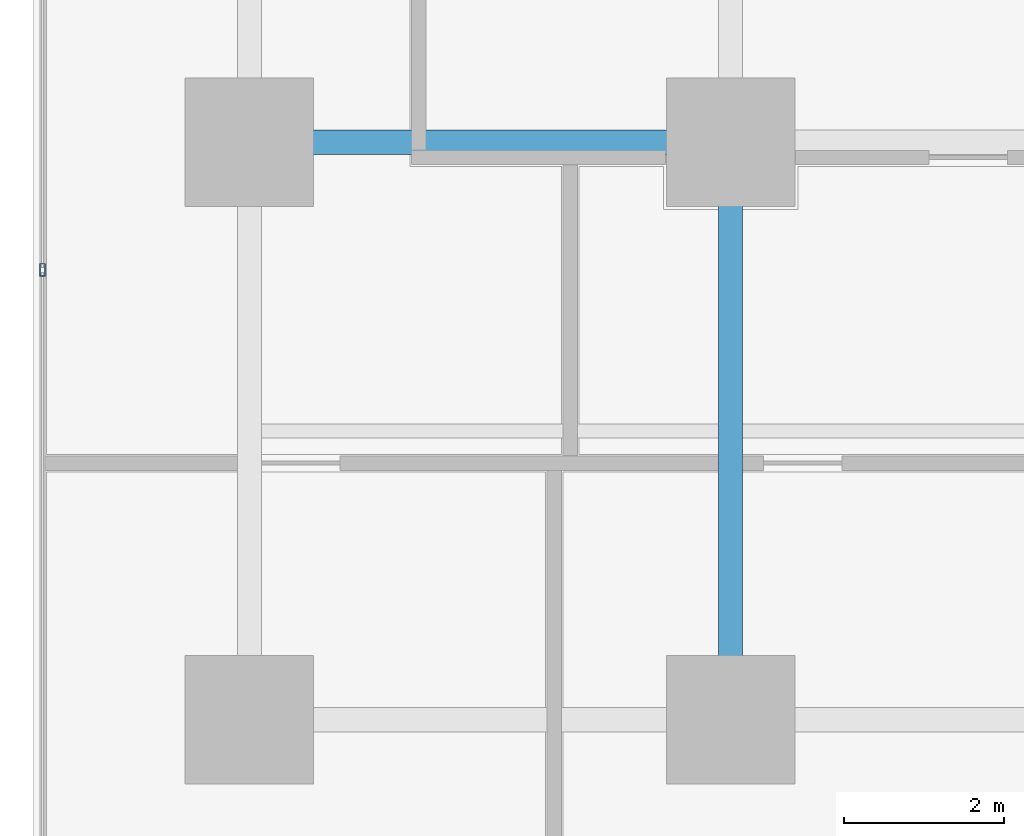
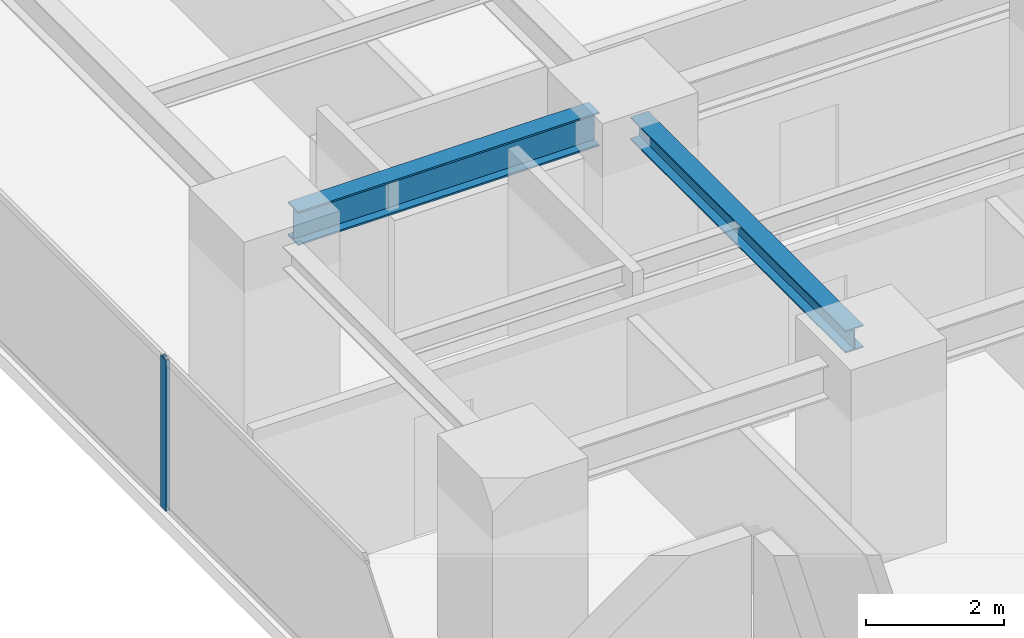
# One storey, part 4 of 36: 2 beams, 1 member, 1 element without a shape of its own.
"""IFC4 building model written with IfcOpenShell, lengths in metres."""

from ifc_helpers import new_model, si_unit, direction, frame, origin, origin_2d, place, context, subcontext, project, spatial, hollow_rectangle, i_section, extrude, source, transform, mapped, material, layer, layer_set, material_profile, profile_set, type_object, element, aggregate, save


model = new_model("IFC4")

# Units and contexts
model_context = context("Model", 3, precision=1e-05, world=origin(), true_north=direction((0.0, 1.0)))
body_context = subcontext(model_context, "Body", "Model", "MODEL_VIEW")
ifc_project = project(units=[si_unit("LENGTHUNIT", "METRE"), si_unit("AREAUNIT", "SQUARE_METRE"), si_unit("VOLUMEUNIT", "CUBIC_METRE"), si_unit("PLANEANGLEUNIT", "RADIAN"), si_unit("MASSUNIT", "GRAM", prefix="KILO")], contexts=[model_context])

# Site, building, storey
site_placement = place(None, origin())
site = spatial("IfcSite", under=ifc_project, at=site_placement, CompositionType="ELEMENT")
building_placement = place(site_placement, origin())
building = spatial("IfcBuilding", under=site, at=building_placement, Name="Sumidabori Civic Tower", CompositionType="ELEMENT")
storey_placement = place(building_placement, frame((0.0, 0.0, 120.800048828125)))
storey = spatial("IfcBuildingStorey", under=building, at=storey_placement, Name="L31", CompositionType="ELEMENT", Elevation=120.800048828125)

# Beams
ifc_material_1 = material(Name="Steel SN490", Category="steel")
ifc_material_profile_1 = material_profile(ifc_material_1, i_section(OverallWidth=0.300048828125, OverallDepth=0.60009765625, WebThickness=0.015380859375, FlangeThickness=0.030029296875, at=origin_2d()), Name="HE 600 B")
ifc_profile_set_1 = profile_set([ifc_material_profile_1], Name="Steel SN490")
beam_type_1 = type_object("IfcBeamType", Name="BM-GIRD-600", PredefinedType="BEAM", material=ifc_profile_set_1)
shared_shape_1 = source(origin(), body_context, "Body", "SweptSolid", [
    extrude(i_section(OverallWidth=0.300048828125, OverallDepth=0.60009765625, WebThickness=0.015380859375, FlangeThickness=0.030029296875, at=origin_2d()), origin(), (0.0, 0.0, 1.0), 5.0400390625),
])
beam_1_placement = place(storey_placement, frame((-22.320068359375, -10.800048828125, 3.0), z_axis=(1.0, 0.0, 0.0), x_axis=(0.0, 1.0, 0.0)))
element("IfcBeam", 1, at=beam_1_placement, inside=storey, type_object=beam_type_1, Name="Primary Girder L31 GX-07", PredefinedType="BEAM", context=body_context, shape_type="MappedRepresentation", body=[
    mapped(shared_shape_1, transform((0.0, 0.0, 0.0), x_axis=(1.0, 0.0, 0.0), y_axis=(0.0, 1.0, 0.0), z_axis=(0.0, 0.0, 1.0), scale=1.0)),
])
ifc_material_profile_2 = material_profile(ifc_material_1, i_section(OverallWidth=0.300048828125, OverallDepth=0.39990234375, WebThickness=0.013427734375, FlangeThickness=0.02392578125, at=origin_2d()), Name="HE 400 B")
ifc_profile_set_2 = profile_set([ifc_material_profile_2], Name="Steel SN490")
beam_type_2 = type_object("IfcBeamType", Name="BM-GIRD-400", PredefinedType="BEAM", material=ifc_profile_set_2)
shared_shape_2 = source(origin(), body_context, "Body", "SweptSolid", [
    extrude(i_section(OverallWidth=0.300048828125, OverallDepth=0.39990234375, WebThickness=0.013427734375, FlangeThickness=0.02392578125, at=origin_2d()), origin(), (0.0, 0.0, 1.0), 6.239990234375),
])
beam_2_placement = place(storey_placement, frame((-16.800048828125, -17.52001953125, 3.099853515625), z_axis=(0.0, 1.0, 0.0), x_axis=(-1.0, 0.0, 0.0)))
element("IfcBeam", 2, at=beam_2_placement, inside=storey, type_object=beam_type_2, Name="Primary Girder L31 GY-25", PredefinedType="BEAM", context=body_context, shape_type="MappedRepresentation", body=[
    mapped(shared_shape_2, transform((0.0, 0.0, 0.0), x_axis=(1.0, 0.0, 0.0), y_axis=(0.0, 1.0, 0.0), z_axis=(0.0, 0.0, 1.0), scale=1.0)),
])

# Curtain wall, member
ifc_material_2 = material(Name="Anodised Bronze Aluminium AW-6063-T6", Category="aluminium")
ifc_layer = layer(ifc_material_2, 0.179931640625, Name="Anodised Bronze Aluminium AW-6063-T6")
ifc_layer_set = layer_set([ifc_layer], Name="Anodised Bronze Aluminium AW-6063-T6")
curtain_wall_type = type_object("IfcCurtainWallType", Name="CW-SYS-3", PredefinedType="NOTDEFINED", material=ifc_layer_set)
curtain_wall_placement = place(storey_placement, origin())
curtain_wall = element("IfcCurtainWall", 3, at=curtain_wall_placement, inside=storey, type_object=curtain_wall_type, Name="Curtain Wall CW:L31:R10", PredefinedType="NOTDEFINED")
ifc_material_profile_3 = material_profile(ifc_material_2, hollow_rectangle(XDim=0.06494140625, YDim=0.159912109375, WallThickness=0.0048828125, at=origin_2d()), Name="ALU MULLION 160x65")
ifc_profile_set_3 = profile_set([ifc_material_profile_3], Name="Anodised Bronze Aluminium AW-6063-T6")
member_type = type_object("IfcMemberType", Name="CW-MUL-160", PredefinedType="MULLION", material=ifc_profile_set_3)
shared_shape_3 = source(origin(), body_context, "Body", "SweptSolid", [
    extrude(hollow_rectangle(XDim=0.06494140625, YDim=0.159912109375, WallThickness=0.0048828125, at=origin_2d()), origin(), (0.0, 0.0, 1.0), 2.679931640625),
])
member_placement = place(storey_placement, frame((-25.3798828125, -12.39208984375, 0.0), z_axis=(0.0, 0.0, 1.0), x_axis=(1.0, 0.0, 0.0)))
member = element("IfcMember", 4, at=member_placement, type_object=member_type, Name="CW-3 mullion 5", PredefinedType="MULLION", context=body_context, shape_type="MappedRepresentation", body=[
    mapped(shared_shape_3, transform((0.0, 0.0, 0.0), x_axis=(1.0, 0.0, 0.0), y_axis=(0.0, 1.0, 0.0), z_axis=(0.0, 0.0, 1.0), scale=1.0)),
])
aggregate(curtain_wall, [member])

save(model, "model.ifc")
